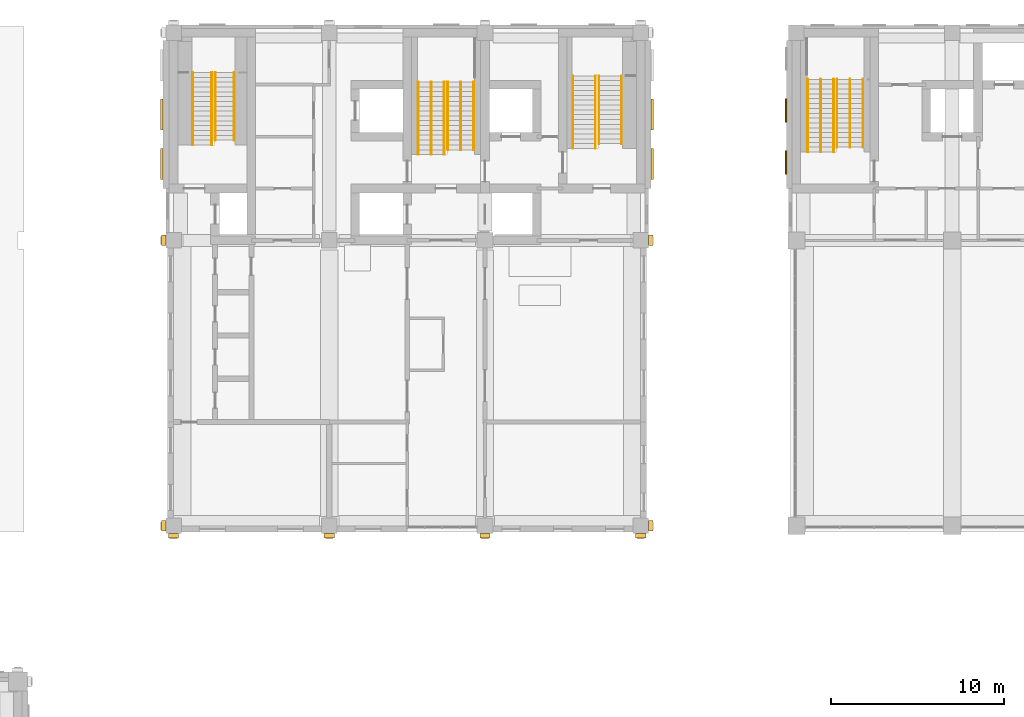
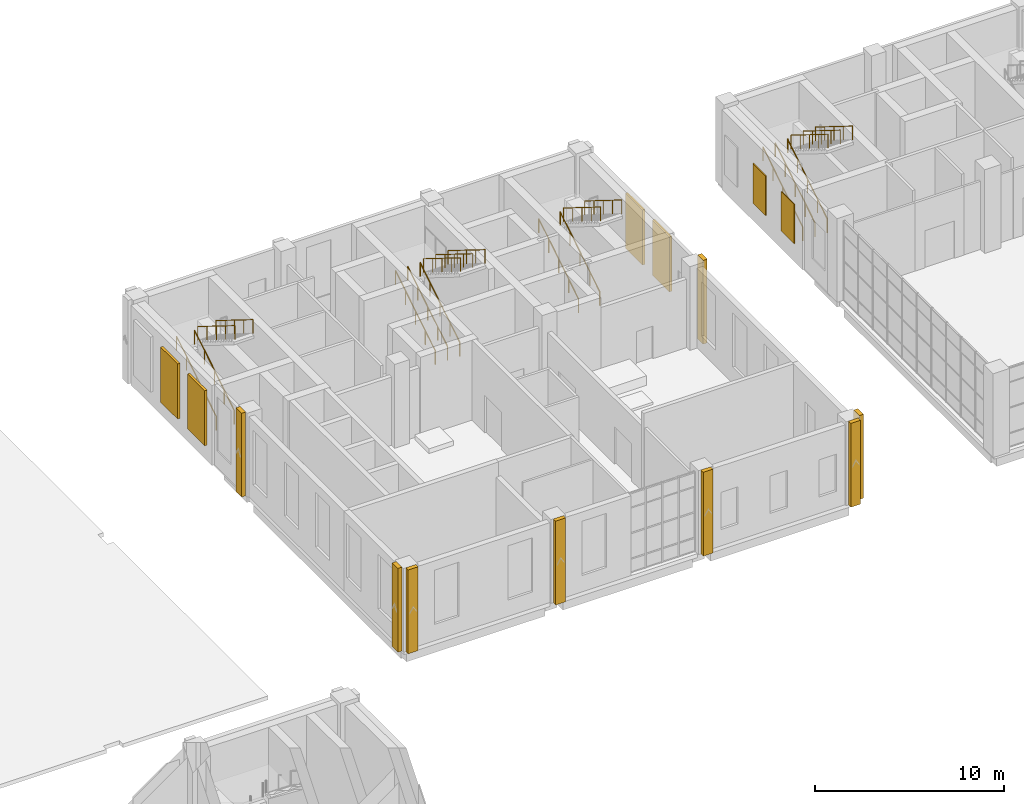
# One storey, part 28 of 33: 20 railings, 14 coverings.
"""IFC4 building model written with IfcOpenShell, lengths in metres."""

from ifc_helpers import new_model, si_unit, direction, frame, origin, origin_2d, place, context, subcontext, project, spatial, rectangle, circle, extrude, material, layer, layer_set, type_object, element, save


model = new_model("IFC4")

# Units and contexts
model_context = context("Model", 3, precision=1e-05, world=origin(), true_north=direction((0.0, 1.0)))
body_context = subcontext(model_context, "Body", "Model", "MODEL_VIEW")
ifc_project = project(units=[si_unit("LENGTHUNIT", "METRE"), si_unit("AREAUNIT", "SQUARE_METRE"), si_unit("VOLUMEUNIT", "CUBIC_METRE"), si_unit("PLANEANGLEUNIT", "RADIAN"), si_unit("MASSUNIT", "GRAM", prefix="KILO")], contexts=[model_context])

# Site, building, storey
site_placement = place(None, origin())
site = spatial("IfcSite", under=ifc_project, at=site_placement, CompositionType="ELEMENT")
building_placement = place(site_placement, origin())
building = spatial("IfcBuilding", under=site, at=building_placement, Name="Aurelan Courthouse", CompositionType="ELEMENT")
storey_placement = place(building_placement, frame((0.0, 0.0, 22.800048828125)))
storey = spatial("IfcBuildingStorey", under=building, at=storey_placement, Name="L04", CompositionType="ELEMENT", Elevation=22.800048828125)

# Coverings
ifc_material_1 = material(Name="Limestone cladding", Category="masonry")
covering_type_1 = type_object("IfcCoveringType", Name="Courtroom Block pilaster fin 600 x 250", PredefinedType="CLADDING", material=ifc_material_1)
for number, where, z_axis, x_axis, name in (
    (1, (36.0, 36.925048828125, 0.0), (0.0, 0.0, 1.0), (1.0, 0.0, 0.0), "Pilaster fin FN-V2-026"),
    (2, (45.0, 36.925048828125, 0.0), (0.0, 0.0, 1.0), (1.0, 0.0, 0.0), "Pilaster fin FN-V2-027"),
    (3, (54.0, 36.925048828125, 0.0), (0.0, 0.0, 1.0), (1.0, 0.0, 0.0), "Pilaster fin FN-V2-028"),
    (4, (63.0, 36.925048828125, 0.0), (0.0, 0.0, 1.0), (1.0, 0.0, 0.0), "Pilaster fin FN-V2-029"),
):
    element("IfcCovering", number, at=place(storey_placement, frame(where, z_axis=z_axis, x_axis=x_axis)), inside=storey, type_object=covering_type_1, Name=name, PredefinedType="CLADDING", context=body_context, shape_type="SweptSolid", body=[
        extrude(rectangle(XDim=0.60009765625, YDim=0.25, at=origin_2d()), origin(), (0.0, 0.0, 1.0), 5.39990234375),
    ])
for number, where, z_axis, x_axis, name in (
    (5, (63.574951171875, 37.5, 0.0), (0.0, 0.0, 1.0), (1.0, 0.0, 0.0), "Pilaster fin FN-V2-034"),
    (6, (63.574951171875, 54.0, 0.0), (0.0, 0.0, 1.0), (1.0, 0.0, 0.0), "Pilaster fin FN-V2-035"),
    (7, (35.425048828125, 37.5, 0.0), (0.0, 0.0, 1.0), (1.0, 0.0, 0.0), "Pilaster fin FN-V2-037"),
    (8, (35.425048828125, 54.0, 0.0), (0.0, 0.0, 1.0), (1.0, 0.0, 0.0), "Pilaster fin FN-V2-038"),
):
    element("IfcCovering", number, at=place(storey_placement, frame(where, z_axis=z_axis, x_axis=x_axis)), inside=storey, type_object=covering_type_1, Name=name, PredefinedType="CLADDING", context=body_context, shape_type="SweptSolid", body=[
        extrude(rectangle(XDim=0.25, YDim=0.60009765625, at=origin_2d()), origin(), (0.0, 0.0, 1.0), 5.39990234375),
    ])
ifc_material_2 = material(Name="Bronze sheet cladding")
ifc_layer_1 = layer(ifc_material_2, 0.06005859375)
ifc_layer_set_1 = layer_set([ifc_layer_1], Name="Bronze sheet cladding")
covering_type_2 = type_object("IfcCoveringType", Name="Law Library blind bay 1350 x 2550", PredefinedType="CLADDING", material=ifc_layer_set_1)
for number, where, z_axis, x_axis, name in (
    (9, (71.39990234375, 58.5, 1.19970703125), (0.0, 0.0, 1.0), (1.0, 0.0, 0.0), "Blind bay BB-V3-L04-010"),
    (10, (71.39990234375, 61.5, 1.19970703125), (0.0, 0.0, 1.0), (1.0, 0.0, 0.0), "Blind bay BB-V3-L04-011"),
):
    element("IfcCovering", number, at=place(storey_placement, frame(where, z_axis=z_axis, x_axis=x_axis)), inside=storey, type_object=covering_type_2, Name=name, PredefinedType="CLADDING", context=body_context, shape_type="SweptSolid", body=[
        extrude(rectangle(XDim=0.06005859375, YDim=1.35009765625, at=origin_2d()), origin(), (0.0, 0.0, 1.0), 2.550048828125),
    ])
ifc_layer_2 = layer(ifc_material_2, 0.14990234375)
ifc_layer_set_2 = layer_set([ifc_layer_2], Name="Bronze sheet cladding")
covering_type_3 = type_object("IfcCoveringType", Name="Relief panel 1800 x 3550 x 150", PredefinedType="CLADDING", material=ifc_layer_set_2)
for number, where, z_axis, x_axis, name in (
    (11, (35.324951171875, 58.425048828125, 1.0), (0.0, 0.0, 1.0), (1.0, 0.0, 0.0), "Relief panel RP-V2-024"),
    (12, (35.324951171875, 61.27490234375, 1.0), (0.0, 0.0, 1.0), (1.0, 0.0, 0.0), "Relief panel RP-V2-025"),
    (13, (63.675048828125, 58.425048828125, 1.0), (0.0, 0.0, 1.0), (1.0, 0.0, 0.0), "Relief panel RP-V2-027"),
    (14, (63.675048828125, 61.27490234375, 1.0), (0.0, 0.0, 1.0), (1.0, 0.0, 0.0), "Relief panel RP-V2-028"),
):
    element("IfcCovering", number, at=place(storey_placement, frame(where, z_axis=z_axis, x_axis=x_axis)), inside=storey, type_object=covering_type_3, Name=name, PredefinedType="CLADDING", context=body_context, shape_type="SweptSolid", body=[
        extrude(rectangle(XDim=0.14990234375, YDim=1.800048828125, at=origin_2d()), origin(), (0.0, 0.0, 1.0), 3.550048828125),
    ])

# Railings
ifc_material_3 = material(Name="Steel S355", Category="steel")
railing_type = type_object("IfcRailingType", Name="Stair handrail 900", PredefinedType="HANDRAIL", material=ifc_material_3)
for number, where, name in (
    (15, (37.110107421875, 59.510009765625, 0.174072265625), "Handrail CS-2-L04-H1"),
    (16, (38.2099609375, 59.510009765625, 0.174072265625), "Handrail CS-2-L04-H2"),
):
    element("IfcRailing", number, at=place(storey_placement, frame(where)), inside=storey, type_object=railing_type, Name=name, PredefinedType="HANDRAIL", context=body_context, shape_type="SweptSolid", body=[
        extrude(circle(Radius=0.02392578125, at=origin_2d()), frame((0.0, 0.0, 0.8759765625), z_axis=(0.0, 0.849080710111, 0.528263142494), x_axis=(-1.0, 0.0, 0.0)), (0.0, 0.0, 1.0), 4.946533203125),
        extrude(circle(Radius=0.02099609375, at=origin_2d()), origin(), (0.0, 0.0, 1.0), 0.851806640625),
        extrude(circle(Radius=0.02099609375, at=origin_2d()), frame((0.0, 1.050048828125, 0.6533203125)), (0.0, 0.0, 1.0), 0.851806640625),
        extrude(circle(Radius=0.02099609375, at=origin_2d()), frame((0.0, 2.10009765625, 1.306640625)), (0.0, 0.0, 1.0), 0.851806640625),
        extrude(circle(Radius=0.02099609375, at=origin_2d()), frame((0.0, 3.14990234375, 1.959716796875)), (0.0, 0.0, 1.0), 0.851806640625),
        extrude(circle(Radius=0.02099609375, at=origin_2d()), frame((0.0, 4.199951171875, 2.613037109375)), (0.0, 0.0, 1.0), 0.851806640625),
    ])
for number, where, name in (
    (17, (38.409912109375, 63.7099609375, 2.961181640625), "Handrail CS-2-L04-H3"),
    (18, (39.510009765625, 63.7099609375, 2.961181640625), "Handrail CS-2-L04-H4"),
):
    element("IfcRailing", number, at=place(storey_placement, frame(where)), inside=storey, type_object=railing_type, Name=name, PredefinedType="HANDRAIL", context=body_context, shape_type="SweptSolid", body=[
        extrude(circle(Radius=0.02392578125, at=origin_2d()), frame((0.0, 0.0, 0.8759765625), z_axis=(0.0, -0.849089811655, 0.528248513243), x_axis=(1.0, 0.0, 0.0)), (0.0, 0.0, 1.0), 4.61669921875),
        extrude(circle(Radius=0.02099609375, at=origin_2d()), origin(), (0.0, 0.0, 1.0), 0.851806640625),
        extrude(circle(Radius=0.02099609375, at=origin_2d()), frame((0.0, -0.97998046875, 0.609619140625)), (0.0, 0.0, 1.0), 0.851806640625),
        extrude(circle(Radius=0.02099609375, at=origin_2d()), frame((0.0, -1.9599609375, 1.21923828125)), (0.0, 0.0, 1.0), 0.851806640625),
        extrude(circle(Radius=0.02099609375, at=origin_2d()), frame((0.0, -2.93994140625, 1.8291015625)), (0.0, 0.0, 1.0), 0.851806640625),
        extrude(circle(Radius=0.02099609375, at=origin_2d()), frame((0.0, -3.919921875, 2.438720703125)), (0.0, 0.0, 1.0), 0.851806640625),
    ])
for number, where, name in (
    (19, (50.14990234375, 58.9599609375, 0.174072265625), "Handrail ST-2A-L04-H1"),
    (20, (51.64990234375, 58.9599609375, 0.174072265625), "Handrail ST-2A-L04-H2"),
    (21, (50.89990234375, 58.9599609375, 0.174072265625), "Handrail ST-2A-L04-H3"),
):
    element("IfcRailing", number, at=place(storey_placement, frame(where)), inside=storey, type_object=railing_type, Name=name, PredefinedType="HANDRAIL", context=body_context, shape_type="SweptSolid", body=[
        extrude(circle(Radius=0.02392578125, at=origin_2d()), frame((0.0, 0.0, 0.8759765625), z_axis=(0.0, 0.849080710111, 0.528263142494), x_axis=(-1.0, 0.0, 0.0)), (0.0, 0.0, 1.0), 4.946533203125),
        extrude(circle(Radius=0.02099609375, at=origin_2d()), origin(), (0.0, 0.0, 1.0), 0.851806640625),
        extrude(circle(Radius=0.02099609375, at=origin_2d()), frame((0.0, 1.050048828125, 0.6533203125)), (0.0, 0.0, 1.0), 0.851806640625),
        extrude(circle(Radius=0.02099609375, at=origin_2d()), frame((0.0, 2.10009765625, 1.306640625)), (0.0, 0.0, 1.0), 0.851806640625),
        extrude(circle(Radius=0.02099609375, at=origin_2d()), frame((0.0, 3.14990234375, 1.959716796875)), (0.0, 0.0, 1.0), 0.851806640625),
        extrude(circle(Radius=0.02099609375, at=origin_2d()), frame((0.0, 4.199951171875, 2.613037109375)), (0.0, 0.0, 1.0), 0.851806640625),
    ])
for number, where, name in (
    (22, (51.85009765625, 63.159912109375, 2.961181640625), "Handrail ST-2A-L04-H4"),
    (23, (53.35009765625, 63.159912109375, 2.961181640625), "Handrail ST-2A-L04-H5"),
    (24, (52.60009765625, 63.159912109375, 2.961181640625), "Handrail ST-2A-L04-H6"),
):
    element("IfcRailing", number, at=place(storey_placement, frame(where)), inside=storey, type_object=railing_type, Name=name, PredefinedType="HANDRAIL", context=body_context, shape_type="SweptSolid", body=[
        extrude(circle(Radius=0.02392578125, at=origin_2d()), frame((0.0, 0.0, 0.8759765625), z_axis=(0.0, -0.849089811655, 0.528248513243), x_axis=(1.0, 0.0, 0.0)), (0.0, 0.0, 1.0), 4.61669921875),
        extrude(circle(Radius=0.02099609375, at=origin_2d()), origin(), (0.0, 0.0, 1.0), 0.851806640625),
        extrude(circle(Radius=0.02099609375, at=origin_2d()), frame((0.0, -0.97998046875, 0.609619140625)), (0.0, 0.0, 1.0), 0.851806640625),
        extrude(circle(Radius=0.02099609375, at=origin_2d()), frame((0.0, -1.9599609375, 1.21923828125)), (0.0, 0.0, 1.0), 0.851806640625),
        extrude(circle(Radius=0.02099609375, at=origin_2d()), frame((0.0, -2.93994140625, 1.8291015625)), (0.0, 0.0, 1.0), 0.851806640625),
        extrude(circle(Radius=0.02099609375, at=origin_2d()), frame((0.0, -3.919921875, 2.438720703125)), (0.0, 0.0, 1.0), 0.851806640625),
    ])
for number, where, name in (
    (25, (59.090087890625, 59.31005859375, 0.174072265625), "Handrail ST-2E-L04-H1"),
    (26, (60.389892578125, 59.31005859375, 0.174072265625), "Handrail ST-2E-L04-H2"),
):
    element("IfcRailing", number, at=place(storey_placement, frame(where)), inside=storey, type_object=railing_type, Name=name, PredefinedType="HANDRAIL", context=body_context, shape_type="SweptSolid", body=[
        extrude(circle(Radius=0.02392578125, at=origin_2d()), frame((0.0, 0.0, 0.8759765625), z_axis=(0.0, 0.849080710111, 0.528263142494), x_axis=(-1.0, 0.0, 0.0)), (0.0, 0.0, 1.0), 4.946533203125),
        extrude(circle(Radius=0.02099609375, at=origin_2d()), origin(), (0.0, 0.0, 1.0), 0.851806640625),
        extrude(circle(Radius=0.02099609375, at=origin_2d()), frame((0.0, 1.050048828125, 0.6533203125)), (0.0, 0.0, 1.0), 0.851806640625),
        extrude(circle(Radius=0.02099609375, at=origin_2d()), frame((0.0, 2.10009765625, 1.306640625)), (0.0, 0.0, 1.0), 0.851806640625),
        extrude(circle(Radius=0.02099609375, at=origin_2d()), frame((0.0, 3.14990234375, 1.959716796875)), (0.0, 0.0, 1.0), 0.851806640625),
        extrude(circle(Radius=0.02099609375, at=origin_2d()), frame((0.0, 4.199951171875, 2.613037109375)), (0.0, 0.0, 1.0), 0.851806640625),
    ])
for number, where, name in (
    (27, (60.590087890625, 63.510009765625, 2.961181640625), "Handrail ST-2E-L04-H3"),
    (28, (61.889892578125, 63.510009765625, 2.961181640625), "Handrail ST-2E-L04-H4"),
):
    element("IfcRailing", number, at=place(storey_placement, frame(where)), inside=storey, type_object=railing_type, Name=name, PredefinedType="HANDRAIL", context=body_context, shape_type="SweptSolid", body=[
        extrude(circle(Radius=0.02392578125, at=origin_2d()), frame((0.0, 0.0, 0.8759765625), z_axis=(0.0, -0.849089811655, 0.528248513243), x_axis=(1.0, 0.0, 0.0)), (0.0, 0.0, 1.0), 4.61669921875),
        extrude(circle(Radius=0.02099609375, at=origin_2d()), origin(), (0.0, 0.0, 1.0), 0.851806640625),
        extrude(circle(Radius=0.02099609375, at=origin_2d()), frame((0.0, -0.97998046875, 0.609619140625)), (0.0, 0.0, 1.0), 0.851806640625),
        extrude(circle(Radius=0.02099609375, at=origin_2d()), frame((0.0, -1.9599609375, 1.21923828125)), (0.0, 0.0, 1.0), 0.851806640625),
        extrude(circle(Radius=0.02099609375, at=origin_2d()), frame((0.0, -2.93994140625, 1.8291015625)), (0.0, 0.0, 1.0), 0.851806640625),
        extrude(circle(Radius=0.02099609375, at=origin_2d()), frame((0.0, -3.919921875, 2.438720703125)), (0.0, 0.0, 1.0), 0.851806640625),
    ])
for number, where, name in (
    (29, (72.64990234375, 59.110107421875, 0.174072265625), "Handrail ST-3A-L04-H1"),
    (30, (74.14990234375, 59.110107421875, 0.174072265625), "Handrail ST-3A-L04-H2"),
    (31, (73.39990234375, 59.110107421875, 0.174072265625), "Handrail ST-3A-L04-H3"),
):
    element("IfcRailing", number, at=place(storey_placement, frame(where)), inside=storey, type_object=railing_type, Name=name, PredefinedType="HANDRAIL", context=body_context, shape_type="SweptSolid", body=[
        extrude(circle(Radius=0.02392578125, at=origin_2d()), frame((0.0, 0.0, 0.8759765625), z_axis=(0.0, 0.849080710111, 0.528263142494), x_axis=(-1.0, 0.0, 0.0)), (0.0, 0.0, 1.0), 4.946533203125),
        extrude(circle(Radius=0.02099609375, at=origin_2d()), origin(), (0.0, 0.0, 1.0), 0.851806640625),
        extrude(circle(Radius=0.02099609375, at=origin_2d()), frame((0.0, 1.050048828125, 0.6533203125)), (0.0, 0.0, 1.0), 0.851806640625),
        extrude(circle(Radius=0.02099609375, at=origin_2d()), frame((0.0, 2.10009765625, 1.306640625)), (0.0, 0.0, 1.0), 0.851806640625),
        extrude(circle(Radius=0.02099609375, at=origin_2d()), frame((0.0, 3.14990234375, 1.959716796875)), (0.0, 0.0, 1.0), 0.851806640625),
        extrude(circle(Radius=0.02099609375, at=origin_2d()), frame((0.0, 4.199951171875, 2.613037109375)), (0.0, 0.0, 1.0), 0.851806640625),
    ])
for number, where, name in (
    (32, (74.35009765625, 63.31005859375, 2.961181640625), "Handrail ST-3A-L04-H4"),
    (33, (75.85009765625, 63.31005859375, 2.961181640625), "Handrail ST-3A-L04-H5"),
    (34, (75.10009765625, 63.31005859375, 2.961181640625), "Handrail ST-3A-L04-H6"),
):
    element("IfcRailing", number, at=place(storey_placement, frame(where)), inside=storey, type_object=railing_type, Name=name, PredefinedType="HANDRAIL", context=body_context, shape_type="SweptSolid", body=[
        extrude(circle(Radius=0.02392578125, at=origin_2d()), frame((0.0, 0.0, 0.8759765625), z_axis=(0.0, -0.849104567483, 0.528224794457), x_axis=(1.0, 0.0, 0.0)), (0.0, 0.0, 1.0), 4.616943359375),
        extrude(circle(Radius=0.02099609375, at=origin_2d()), origin(), (0.0, 0.0, 1.0), 0.851806640625),
        extrude(circle(Radius=0.02099609375, at=origin_2d()), frame((0.0, -0.97998046875, 0.609619140625)), (0.0, 0.0, 1.0), 0.851806640625),
        extrude(circle(Radius=0.02099609375, at=origin_2d()), frame((0.0, -1.9599609375, 1.21923828125)), (0.0, 0.0, 1.0), 0.851806640625),
        extrude(circle(Radius=0.02099609375, at=origin_2d()), frame((0.0, -2.940185546875, 1.8291015625)), (0.0, 0.0, 1.0), 0.851806640625),
        extrude(circle(Radius=0.02099609375, at=origin_2d()), frame((0.0, -3.920166015625, 2.438720703125)), (0.0, 0.0, 1.0), 0.851806640625),
    ])

save(model, "model.ifc")
